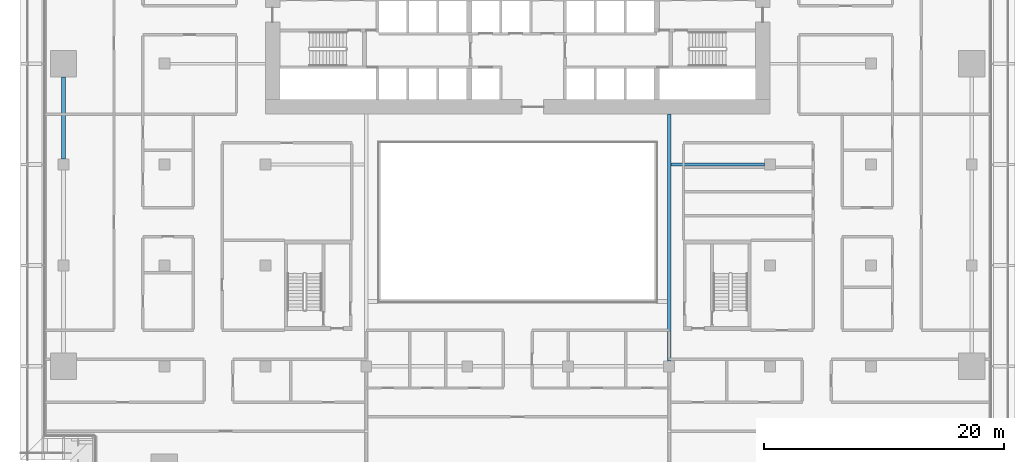
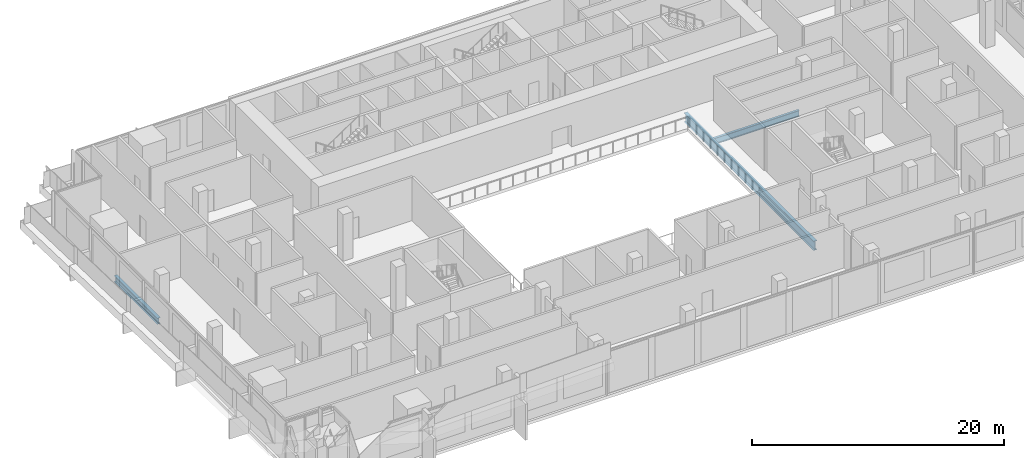
# One storey, part 5 of 23: 3 beams.
"""IFC4 building model written with IfcOpenShell, lengths in metres."""

import ifcopenshell
import ifcopenshell.guid

model = None  # the IFC model being written
_history = None  # IfcOwnerHistory: only IFC2X3 demands one
_inside = {}  # id of a spatial element -> (the spatial element, [elements in it])
_under = {}  # id of a project, library or spatial element -> (it, [spatial elements below it])
_declared = {}  # id of a project -> (the project, [libraries it declares])
_typed = {}  # id of a type object -> (the type object, [elements of that type])
_made_of = {}  # id of a material, layer set ... -> (it, [elements and type objects made of it])


def new_model(schema):
    """Start an empty IFC model of exactly this schema.

    Asked for "IFC4X3", IfcOpenShell would pick the latest addendum, in which some entities
    have other attributes; the version numbers below select the first issue.
    IFC2X3 requires an IfcOwnerHistory on every rooted entity: one is made here for all.
    """
    global model, _history
    if schema == "IFC4X3":
        model = ifcopenshell.file(schema_version=(4, 3, 0, 0))
    else:
        model = ifcopenshell.file(schema=schema)
    _inside.clear()
    _under.clear()
    _declared.clear()
    _typed.clear()
    _made_of.clear()
    _history = None
    if model.schema == "IFC2X3":
        org = make("IfcOrganization", Name="unknown")
        user = make(
            "IfcPersonAndOrganization",
            ThePerson=make("IfcPerson", FamilyName="unknown"),
            TheOrganization=org,
        )
        app = make(
            "IfcApplication",
            ApplicationDeveloper=org,
            Version="unknown",
            ApplicationFullName="unknown",
            ApplicationIdentifier="unknown",
        )
        _history = make(
            "IfcOwnerHistory",
            OwningUser=user,
            OwningApplication=app,
            ChangeAction="ADDED",
            CreationDate=0,
        )
    return model


def make(cls, **values):
    """One entity of the class cls with the attributes given. An attribute that is None is left unset."""
    return model.create_entity(
        cls, **{name: value for name, value in values.items() if value is not None}
    )


def rooted(cls, **values):
    """An entity with a GlobalId (a new one), such as an element, a storey or a relation."""
    return make(cls, GlobalId=ifcopenshell.guid.new(), OwnerHistory=_history, **values)


def si_unit(unit_type, name, prefix=None):
    """IfcSIUnit, for example si_unit("LENGTHUNIT", "METRE", prefix="MILLI")."""
    return make("IfcSIUnit", UnitType=unit_type, Prefix=prefix, Name=name)


def assignment(units):
    """IfcUnitAssignment: the units of a project."""
    return None if units is None else make("IfcUnitAssignment", Units=units)


def point(xyz):
    """IfcCartesianPoint."""
    return None if xyz is None else make("IfcCartesianPoint", Coordinates=xyz)


def direction(xyz):
    """IfcDirection."""
    return None if xyz is None else make("IfcDirection", DirectionRatios=xyz)


def frame(location, z_axis=None, x_axis=None):
    """IfcAxis2Placement3D, a coordinate frame: its origin and axes. An axis left out is left unset."""
    return make(
        "IfcAxis2Placement3D",
        Location=point(location),
        Axis=direction(z_axis),
        RefDirection=direction(x_axis),
    )


def frame_2d(location, x_axis=None):
    """IfcAxis2Placement2D, a coordinate frame in the plane: its origin and x axis."""
    return make(
        "IfcAxis2Placement2D", Location=point(location), RefDirection=direction(x_axis)
    )


def origin():
    """The frame at (0, 0, 0) with its axes left unset."""
    return frame((0.0, 0.0, 0.0))


def origin_2d():
    """The frame at (0, 0) in the plane with its x axis left unset."""
    return frame_2d((0.0, 0.0))


def place(relative_to, where):
    """IfcLocalPlacement: puts the frame where relative to a parent placement (None: the world)."""
    return make(
        "IfcLocalPlacement", PlacementRelTo=relative_to, RelativePlacement=where
    )


def context(
    kind, dimensions, precision=None, world=None, true_north=None, identifier=None
):
    """IfcGeometricRepresentationContext, for example the 3D "Model" context."""
    return make(
        "IfcGeometricRepresentationContext",
        ContextIdentifier=identifier,
        ContextType=kind,
        CoordinateSpaceDimension=dimensions,
        Precision=precision,
        WorldCoordinateSystem=world,
        TrueNorth=true_north,
    )


def subcontext(parent, identifier, kind, view, scale=None):
    """IfcGeometricRepresentationSubContext, for example "Body" below "Model"."""
    return make(
        "IfcGeometricRepresentationSubContext",
        ContextIdentifier=identifier,
        ContextType=kind,
        ParentContext=parent,
        TargetScale=scale,
        TargetView=view,
    )


def project(units=None, contexts=None):
    """IfcProject with its units and contexts."""
    return rooted(
        "IfcProject",
        Name="project",
        RepresentationContexts=contexts,
        UnitsInContext=assignment(units),
    )


def spatial(cls, under=None, at=None, **own):
    """A site, building, storey or space (cls), placed at a placement, below another one or the project."""
    s = rooted(cls, ObjectPlacement=at, **own)
    if under is not None:
        _under.setdefault(under.id(), (under, []))[1].append(s)
    return s


def profile(cls, at=None, kind="AREA", **sizes):
    """A parametric profile (cls). Its sizes go by their IFC names, for example OverallWidth=200.0."""
    return make(cls, ProfileType=kind, Position=at, **sizes)


def i_section(**sizes):
    """IfcIShapeProfileDef."""
    return profile("IfcIShapeProfileDef", **sizes)


def extrude(swept, where, along, depth):
    """IfcExtrudedAreaSolid: the profile swept, set in the frame where, extruded along a direction by depth."""
    return make(
        "IfcExtrudedAreaSolid",
        SweptArea=swept,
        Position=where,
        ExtrudedDirection=direction(along),
        Depth=depth,
    )


def shape(context_of_items, identifier, shape_type, items):
    """IfcShapeRepresentation: the items that make up one representation, for example the "Body"."""
    return make(
        "IfcShapeRepresentation",
        ContextOfItems=context_of_items,
        RepresentationIdentifier=identifier,
        RepresentationType=shape_type,
        Items=items,
    )


def material(Name=None, Category=None):
    """IfcMaterial."""
    return make("IfcMaterial", Name=Name, Category=Category)


def material_profile(
    of_material, cross_section, Name=None, Category=None, Priority=None
):
    """IfcMaterialProfile: a cross section and its material."""
    return make(
        "IfcMaterialProfile",
        Name=Name,
        Material=of_material,
        Profile=cross_section,
        Priority=Priority,
        Category=Category,
    )


def profile_set(profiles, Name=None, composite=None):
    """IfcMaterialProfileSet."""
    return make(
        "IfcMaterialProfileSet",
        Name=Name,
        MaterialProfiles=profiles,
        CompositeProfile=composite,
    )


def made_of(thing, what):
    """Note that an element or type object is made of a material, layer set ...; save() writes the relation."""
    if what is not None:
        _made_of.setdefault(what.id(), (what, []))[1].append(thing)
    return thing


def type_object(cls, material=None, **own):
    """A type object (cls), such as IfcWallType, which elements share."""
    return made_of(rooted(cls, **own), material)


def element(
    cls,
    number,
    at=None,
    inside=None,
    cuts=None,
    type_object=None,
    material=None,
    context=None,
    identifier="Body",
    shape_type=None,
    held_by="IfcProductDefinitionShape",
    body=None,
    shapes=None,
    **own,
):
    """One element of the class cls, such as IfcWall. Its Tag is "e" and its number.

    at: its placement. inside: the storey or other place that contains it. cuts: it is an
    opening in that element (IfcRelVoidsElement). A single representation is given by context,
    identifier, shape_type and body (its items); several are given by shapes. held_by: the class
    of the entity that holds the representations. save() writes the other relations.
    """
    e = rooted(cls, Tag="e%d" % number, ObjectPlacement=at, **own)
    if body is not None:
        shapes = [shape(context, identifier, shape_type, body)]
    if shapes is not None:
        e.Representation = make(held_by, Representations=shapes)
    if inside is not None:
        _inside.setdefault(inside.id(), (inside, []))[1].append(e)
    if cuts is not None:
        rooted(
            "IfcRelVoidsElement", RelatingBuildingElement=cuts, RelatedOpeningElement=e
        )
    if type_object is not None:
        _typed.setdefault(type_object.id(), (type_object, []))[1].append(e)
    return made_of(e, material)


def aggregate(whole, parts):
    """IfcRelAggregates: a whole, such as a stair, and the parts it consists of."""
    return rooted("IfcRelAggregates", RelatingObject=whole, RelatedObjects=parts)


def save(model, path):
    """Write the relations noted so far, then the file.

    IfcRelAggregates (storeys below a building ...), IfcRelContainedInSpatialStructure (elements
    in a storey), IfcRelDefinesByType, IfcRelAssociatesMaterial and IfcRelDeclares: one each for
    every whole, place, type object, material and project.
    """
    for whole, parts in _under.values():
        aggregate(whole, parts)
    for where, things in _inside.values():
        rooted(
            "IfcRelContainedInSpatialStructure",
            RelatedElements=things,
            RelatingStructure=where,
        )
    for kind, things in _typed.values():
        rooted("IfcRelDefinesByType", RelatedObjects=things, RelatingType=kind)
    for what, things in _made_of.values():
        rooted("IfcRelAssociatesMaterial", RelatedObjects=things, RelatingMaterial=what)
    for by, libraries in _declared.values():
        rooted("IfcRelDeclares", RelatingContext=by, RelatedDefinitions=libraries)
    model.write(path)


model = new_model("IFC4")

# Units and contexts
model_context = context("Model", 3, precision=1e-05, world=origin(), true_north=direction((0.0, 1.0)))
body_context = subcontext(model_context, "Body", "Model", "MODEL_VIEW")
ifc_project = project(units=[si_unit("LENGTHUNIT", "METRE"), si_unit("AREAUNIT", "SQUARE_METRE"), si_unit("VOLUMEUNIT", "CUBIC_METRE"), si_unit("PLANEANGLEUNIT", "RADIAN"), si_unit("MASSUNIT", "GRAM", prefix="KILO")], contexts=[model_context])

# Site, building, storey
site_placement = place(None, origin())
site = spatial("IfcSite", under=ifc_project, at=site_placement, CompositionType="ELEMENT")
building_placement = place(site_placement, origin())
building = spatial("IfcBuilding", under=site, at=building_placement, Name="Saffron Gate Tower", CompositionType="ELEMENT")
storey_placement = place(building_placement, frame((0.0, 0.0, 23.699951171875)))
storey = spatial("IfcBuildingStorey", under=building, at=storey_placement, Name="L04", CompositionType="ELEMENT", Elevation=23.699951171875)

# Beams
ifc_material = material(Name="Structural steel S355", Category="steel")
ifc_material_profile_1 = material_profile(ifc_material, i_section(OverallWidth=0.300048828125, OverallDepth=0.590087890625, WebThickness=0.012939453125, FlangeThickness=0.02490234375, FilletRadius=0.027099609375, at=origin_2d()))
ifc_profile_set_1 = profile_set([ifc_material_profile_1], Name="Structural steel S355")
beam_type_1 = type_object("IfcBeamType", Name="B14 HEA 600", PredefinedType="SPANDREL", material=ifc_profile_set_1)
beam_1_placement = place(storey_placement, frame((49.800048828125, 57.449951171875, -0.594970703125), z_axis=(0.0, 1.0, 0.0), x_axis=(-1.0, 0.0, 0.0)))
element("IfcBeam", 1, at=beam_1_placement, inside=storey, type_object=beam_type_1, Name="B14 SPANDREL BEAM", PredefinedType="SPANDREL", context=body_context, shape_type="SweptSolid", body=[
    extrude(i_section(OverallWidth=0.300048828125, OverallDepth=0.590087890625, WebThickness=0.012939453125, FlangeThickness=0.02490234375, FilletRadius=0.027099609375, at=origin_2d()), origin(), (0.0, 0.0, 1.0), 6.85009765625),
])
ifc_material_profile_2 = material_profile(ifc_material, i_section(OverallWidth=0.219970703125, OverallDepth=0.60009765625, WebThickness=0.011962890625, FlangeThickness=0.01904296875, FilletRadius=0.02392578125, at=origin_2d()))
ifc_profile_set_2 = profile_set([ifc_material_profile_2], Name="Structural steel S355")
beam_type_2 = type_object("IfcBeamType", Name="B15 IPE 600", PredefinedType="BEAM", material=ifc_profile_set_2)
beam_2_placement = place(storey_placement, frame((108.14990234375, 57.0, -0.599853515625), z_axis=(-1.0, 0.0, 0.0), x_axis=(0.0, -1.0, 0.0)))
element("IfcBeam", 2, at=beam_2_placement, inside=storey, type_object=beam_type_2, Name="B15 CORE TIE BEAM", PredefinedType="BEAM", context=body_context, shape_type="SweptSolid", body=[
    extrude(i_section(OverallWidth=0.219970703125, OverallDepth=0.60009765625, WebThickness=0.011962890625, FlangeThickness=0.01904296875, FilletRadius=0.02392578125, at=origin_2d()), origin(), (0.0, 0.0, 1.0), 7.7998046875),
])
ifc_material_profile_3 = material_profile(ifc_material, i_section(OverallWidth=0.300048828125, OverallDepth=0.89990234375, WebThickness=0.0185546875, FlangeThickness=0.034912109375, FilletRadius=0.030029296875, at=origin_2d()))
ifc_profile_set_3 = profile_set([ifc_material_profile_3], Name="Structural steel S355")
beam_type_3 = type_object("IfcBeamType", Name="B20 HEB 900", PredefinedType="BEAM", material=ifc_profile_set_3)
beam_3_placement = place(storey_placement, frame((100.199951171875, 40.64990234375, -0.75), z_axis=(0.0, 1.0, 0.0), x_axis=(-1.0, 0.0, 0.0)))
element("IfcBeam", 3, at=beam_3_placement, inside=storey, type_object=beam_type_3, Name="B20 ATRIUM GIRDER", PredefinedType="BEAM", context=body_context, shape_type="SweptSolid", body=[
    extrude(i_section(OverallWidth=0.300048828125, OverallDepth=0.89990234375, WebThickness=0.0185546875, FlangeThickness=0.034912109375, FilletRadius=0.030029296875, at=origin_2d()), origin(), (0.0, 0.0, 1.0), 20.550048828125),
])

save(model, "model.ifc")
